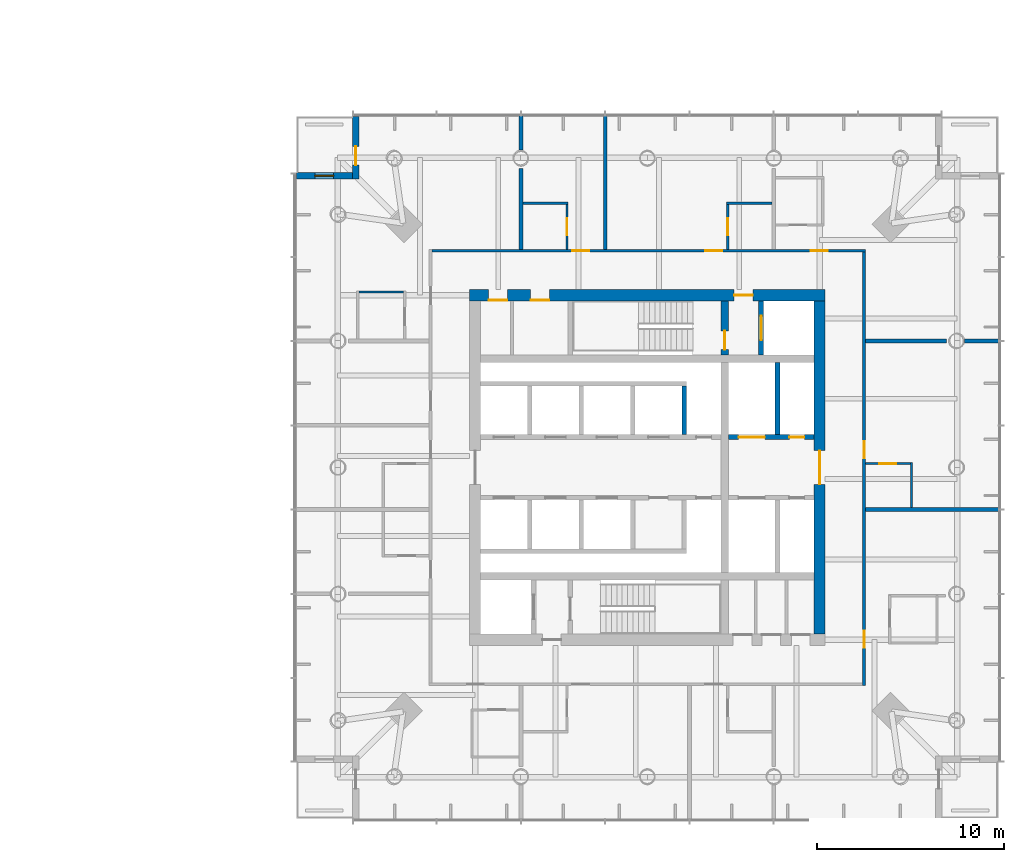
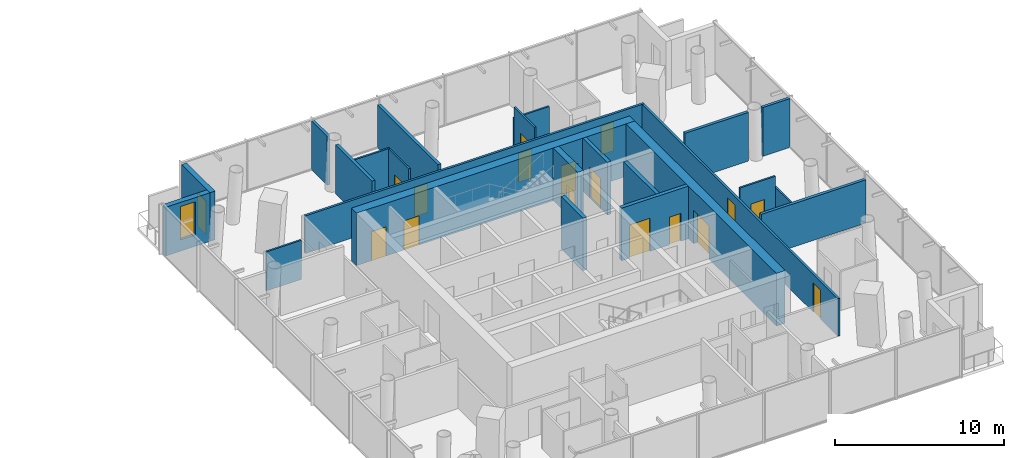
# One storey, part 18 of 24: 24 walls, 17 doors, 1 window, 18 openings.
"""IFC4 building model written with IfcOpenShell, lengths in metres."""

import ifcopenshell
import ifcopenshell.guid

model = None  # the IFC model being written
_history = None  # IfcOwnerHistory: only IFC2X3 demands one
_inside = {}  # id of a spatial element -> (the spatial element, [elements in it])
_under = {}  # id of a project, library or spatial element -> (it, [spatial elements below it])
_declared = {}  # id of a project -> (the project, [libraries it declares])
_typed = {}  # id of a type object -> (the type object, [elements of that type])
_made_of = {}  # id of a material, layer set ... -> (it, [elements and type objects made of it])


def new_model(schema):
    """Start an empty IFC model of exactly this schema.

    Asked for "IFC4X3", IfcOpenShell would pick the latest addendum, in which some entities
    have other attributes; the version numbers below select the first issue.
    IFC2X3 requires an IfcOwnerHistory on every rooted entity: one is made here for all.
    """
    global model, _history
    if schema == "IFC4X3":
        model = ifcopenshell.file(schema_version=(4, 3, 0, 0))
    else:
        model = ifcopenshell.file(schema=schema)
    _inside.clear()
    _under.clear()
    _declared.clear()
    _typed.clear()
    _made_of.clear()
    _history = None
    if model.schema == "IFC2X3":
        org = make("IfcOrganization", Name="unknown")
        user = make(
            "IfcPersonAndOrganization",
            ThePerson=make("IfcPerson", FamilyName="unknown"),
            TheOrganization=org,
        )
        app = make(
            "IfcApplication",
            ApplicationDeveloper=org,
            Version="unknown",
            ApplicationFullName="unknown",
            ApplicationIdentifier="unknown",
        )
        _history = make(
            "IfcOwnerHistory",
            OwningUser=user,
            OwningApplication=app,
            ChangeAction="ADDED",
            CreationDate=0,
        )
    return model


def make(cls, **values):
    """One entity of the class cls with the attributes given. An attribute that is None is left unset."""
    return model.create_entity(
        cls, **{name: value for name, value in values.items() if value is not None}
    )


def rooted(cls, **values):
    """An entity with a GlobalId (a new one), such as an element, a storey or a relation."""
    return make(cls, GlobalId=ifcopenshell.guid.new(), OwnerHistory=_history, **values)


def si_unit(unit_type, name, prefix=None):
    """IfcSIUnit, for example si_unit("LENGTHUNIT", "METRE", prefix="MILLI")."""
    return make("IfcSIUnit", UnitType=unit_type, Prefix=prefix, Name=name)


def assignment(units):
    """IfcUnitAssignment: the units of a project."""
    return None if units is None else make("IfcUnitAssignment", Units=units)


def point(xyz):
    """IfcCartesianPoint."""
    return None if xyz is None else make("IfcCartesianPoint", Coordinates=xyz)


def direction(xyz):
    """IfcDirection."""
    return None if xyz is None else make("IfcDirection", DirectionRatios=xyz)


def frame(location, z_axis=None, x_axis=None):
    """IfcAxis2Placement3D, a coordinate frame: its origin and axes. An axis left out is left unset."""
    return make(
        "IfcAxis2Placement3D",
        Location=point(location),
        Axis=direction(z_axis),
        RefDirection=direction(x_axis),
    )


def frame_2d(location, x_axis=None):
    """IfcAxis2Placement2D, a coordinate frame in the plane: its origin and x axis."""
    return make(
        "IfcAxis2Placement2D", Location=point(location), RefDirection=direction(x_axis)
    )


def origin():
    """The frame at (0, 0, 0) with its axes left unset."""
    return frame((0.0, 0.0, 0.0))


def place(relative_to, where):
    """IfcLocalPlacement: puts the frame where relative to a parent placement (None: the world)."""
    return make(
        "IfcLocalPlacement", PlacementRelTo=relative_to, RelativePlacement=where
    )


def context(
    kind, dimensions, precision=None, world=None, true_north=None, identifier=None
):
    """IfcGeometricRepresentationContext, for example the 3D "Model" context."""
    return make(
        "IfcGeometricRepresentationContext",
        ContextIdentifier=identifier,
        ContextType=kind,
        CoordinateSpaceDimension=dimensions,
        Precision=precision,
        WorldCoordinateSystem=world,
        TrueNorth=true_north,
    )


def subcontext(parent, identifier, kind, view, scale=None):
    """IfcGeometricRepresentationSubContext, for example "Body" below "Model"."""
    return make(
        "IfcGeometricRepresentationSubContext",
        ContextIdentifier=identifier,
        ContextType=kind,
        ParentContext=parent,
        TargetScale=scale,
        TargetView=view,
    )


def project(units=None, contexts=None):
    """IfcProject with its units and contexts."""
    return rooted(
        "IfcProject",
        Name="project",
        RepresentationContexts=contexts,
        UnitsInContext=assignment(units),
    )


def spatial(cls, under=None, at=None, **own):
    """A site, building, storey or space (cls), placed at a placement, below another one or the project."""
    s = rooted(cls, ObjectPlacement=at, **own)
    if under is not None:
        _under.setdefault(under.id(), (under, []))[1].append(s)
    return s


def profile(cls, at=None, kind="AREA", **sizes):
    """A parametric profile (cls). Its sizes go by their IFC names, for example OverallWidth=200.0."""
    return make(cls, ProfileType=kind, Position=at, **sizes)


def rectangle(**sizes):
    """IfcRectangleProfileDef."""
    return profile("IfcRectangleProfileDef", **sizes)


def extrude(swept, where, along, depth):
    """IfcExtrudedAreaSolid: the profile swept, set in the frame where, extruded along a direction by depth."""
    return make(
        "IfcExtrudedAreaSolid",
        SweptArea=swept,
        Position=where,
        ExtrudedDirection=direction(along),
        Depth=depth,
    )


def shape(context_of_items, identifier, shape_type, items):
    """IfcShapeRepresentation: the items that make up one representation, for example the "Body"."""
    return make(
        "IfcShapeRepresentation",
        ContextOfItems=context_of_items,
        RepresentationIdentifier=identifier,
        RepresentationType=shape_type,
        Items=items,
    )


def material(Name=None, Category=None):
    """IfcMaterial."""
    return make("IfcMaterial", Name=Name, Category=Category)


def layer(
    of_material, thickness, ventilated=None, Name=None, Category=None, Priority=None
):
    """IfcMaterialLayer: one layer of a wall or slab, of a material (None: an air gap)."""
    return make(
        "IfcMaterialLayer",
        Material=of_material,
        LayerThickness=thickness,
        IsVentilated=ventilated,
        Name=Name,
        Category=Category,
        Priority=Priority,
    )


def layer_set(layers, Name=None):
    """IfcMaterialLayerSet."""
    return make("IfcMaterialLayerSet", MaterialLayers=layers, LayerSetName=Name)


def made_of(thing, what):
    """Note that an element or type object is made of a material, layer set ...; save() writes the relation."""
    if what is not None:
        _made_of.setdefault(what.id(), (what, []))[1].append(thing)
    return thing


def type_object(cls, material=None, **own):
    """A type object (cls), such as IfcWallType, which elements share."""
    return made_of(rooted(cls, **own), material)


def element(
    cls,
    number,
    at=None,
    inside=None,
    cuts=None,
    type_object=None,
    material=None,
    context=None,
    identifier="Body",
    shape_type=None,
    held_by="IfcProductDefinitionShape",
    body=None,
    shapes=None,
    **own,
):
    """One element of the class cls, such as IfcWall. Its Tag is "e" and its number.

    at: its placement. inside: the storey or other place that contains it. cuts: it is an
    opening in that element (IfcRelVoidsElement). A single representation is given by context,
    identifier, shape_type and body (its items); several are given by shapes. held_by: the class
    of the entity that holds the representations. save() writes the other relations.
    """
    e = rooted(cls, Tag="e%d" % number, ObjectPlacement=at, **own)
    if body is not None:
        shapes = [shape(context, identifier, shape_type, body)]
    if shapes is not None:
        e.Representation = make(held_by, Representations=shapes)
    if inside is not None:
        _inside.setdefault(inside.id(), (inside, []))[1].append(e)
    if cuts is not None:
        rooted(
            "IfcRelVoidsElement", RelatingBuildingElement=cuts, RelatedOpeningElement=e
        )
    if type_object is not None:
        _typed.setdefault(type_object.id(), (type_object, []))[1].append(e)
    return made_of(e, material)


def fill(opening, filler):
    """IfcRelFillsElement: the door or window that sits in an opening."""
    return rooted(
        "IfcRelFillsElement",
        RelatingOpeningElement=opening,
        RelatedBuildingElement=filler,
    )


def aggregate(whole, parts):
    """IfcRelAggregates: a whole, such as a stair, and the parts it consists of."""
    return rooted("IfcRelAggregates", RelatingObject=whole, RelatedObjects=parts)


def save(model, path):
    """Write the relations noted so far, then the file.

    IfcRelAggregates (storeys below a building ...), IfcRelContainedInSpatialStructure (elements
    in a storey), IfcRelDefinesByType, IfcRelAssociatesMaterial and IfcRelDeclares: one each for
    every whole, place, type object, material and project.
    """
    for whole, parts in _under.values():
        aggregate(whole, parts)
    for where, things in _inside.values():
        rooted(
            "IfcRelContainedInSpatialStructure",
            RelatedElements=things,
            RelatingStructure=where,
        )
    for kind, things in _typed.values():
        rooted("IfcRelDefinesByType", RelatedObjects=things, RelatingType=kind)
    for what, things in _made_of.values():
        rooted("IfcRelAssociatesMaterial", RelatedObjects=things, RelatingMaterial=what)
    for by, libraries in _declared.values():
        rooted("IfcRelDeclares", RelatingContext=by, RelatedDefinitions=libraries)
    model.write(path)


model = new_model("IFC4")

# Units and contexts
model_context = context("Model", 3, precision=1e-05, world=origin(), true_north=direction((0.0, 1.0)))
body_context = subcontext(model_context, "Body", "Model", "MODEL_VIEW")
ifc_project = project(units=[si_unit("LENGTHUNIT", "METRE"), si_unit("AREAUNIT", "SQUARE_METRE"), si_unit("VOLUMEUNIT", "CUBIC_METRE"), si_unit("PLANEANGLEUNIT", "RADIAN"), si_unit("MASSUNIT", "GRAM", prefix="KILO")], contexts=[model_context])

# Site, building, storey
site_placement = place(None, origin())
site = spatial("IfcSite", under=ifc_project, at=site_placement, CompositionType="ELEMENT")
building_placement = place(site_placement, origin())
building = spatial("IfcBuilding", under=site, at=building_placement, Name="Ostroluk Exchange", CompositionType="ELEMENT")
storey_placement = place(building_placement, frame((0.0, 0.0, 78.0)))
storey = spatial("IfcBuildingStorey", under=building, at=storey_placement, Name="L19", CompositionType="ELEMENT", Elevation=78.0)

# Wall, opening, door
ifc_material_1 = material(Name="Concrete C50/60", Category="concrete")
ifc_layer_1 = layer(ifc_material_1, 0.39990234375)
ifc_layer_set_1 = layer_set([ifc_layer_1], Name="Core cross wall 400 C50/60")
wall_type_1 = type_object("IfcWallType", Name="Core cross wall 400 C50/60", PredefinedType="SHEAR", material=ifc_layer_set_1)
wall_1_placement = place(storey_placement, frame((121.1298828125, 52.0, 0.0), z_axis=(0.0, 0.0, 1.0), x_axis=(0.0, 1.0, 0.0)))
wall_1 = element("IfcWall", 1, at=wall_1_placement, inside=storey, type_object=wall_type_1, Name="T2 core wall YE3", PredefinedType="SHEAR", context=body_context, shape_type="SweptSolid", body=[
    extrude(rectangle(XDim=2.89990234375, YDim=0.39990234375, at=frame_2d((1.449951171875, 0.0))), origin(), (0.0, 0.0, 1.0), 3.800048828125),
])
opening_1_placement = place(wall_1_placement, frame((0.300048828125, 0.0, 0.0)))
opening_1 = element("IfcOpeningElement", 2, at=opening_1_placement, cuts=wall_1, Name="Opening FD60", PredefinedType="OPENING", context=body_context, shape_type="SweptSolid", body=[
    extrude(rectangle(XDim=1.0, YDim=2.10009765625, at=frame_2d((0.5, 1.050048828125))), frame((0.0, 0.2099609375, 0.0), z_axis=(0.0, -1.0, 0.0), x_axis=(1.0, 0.0, 0.0)), (0.0, 0.0, 1.0), 0.419921875),
])
ifc_material_2 = material(Name="Steel", Category="steel")
door_type_1 = type_object("IfcDoorType", Name="Fire door EI 60 1000 x 2100", OperationType="SINGLE_SWING_LEFT", PredefinedType="DOOR", material=ifc_material_2)
door_1_placement = place(opening_1_placement, origin())
door_1 = element("IfcDoor", 3, at=door_1_placement, inside=storey, type_object=door_type_1, Name="Stair T2-S2 door", OperationType="SINGLE_SWING_LEFT", OverallHeight=2.10009765625, OverallWidth=1.0, PredefinedType="DOOR", context=body_context, shape_type="SweptSolid", body=[
    extrude(rectangle(XDim=1.0, YDim=2.10009765625, at=frame_2d((0.5, 1.050048828125))), frame((0.0, 0.02490234375, 0.0), z_axis=(0.0, -1.0, 0.0), x_axis=(1.0, 0.0, 0.0)), (0.0, 0.0, 1.0), 0.050048828125),
])
fill(opening_1, door_1)

ifc_material_3 = material(Name="Concrete C40/50", Category="concrete")
ifc_layer_2 = layer(ifc_material_3, 0.25)
ifc_layer_set_2 = layer_set([ifc_layer_2], Name="Core shaft wall 250")
wall_type_2 = type_object("IfcWallType", Name="Core shaft wall 250", PredefinedType="SHEAR", material=ifc_layer_set_2)
wall_2_placement = place(storey_placement, frame((123.074951171875, 52.0, 0.0), z_axis=(0.0, 0.0, 1.0), x_axis=(0.0, 1.0, 0.0)))
wall_2 = element("IfcWall", 4, at=wall_2_placement, inside=storey, type_object=wall_type_2, Name="Firefighting lift shaft wall", PredefinedType="SHEAR", context=body_context, shape_type="SweptSolid", body=[
    extrude(rectangle(XDim=2.89990234375, YDim=0.25, at=frame_2d((1.449951171875, 0.0))), origin(), (0.0, 0.0, 1.0), 3.800048828125),
])
opening_2_placement = place(wall_2_placement, frame((0.800048828125, 0.0, 0.0)))
opening_2 = element("IfcOpeningElement", 5, at=opening_2_placement, cuts=wall_2, Name="Opening LD2", PredefinedType="OPENING", context=body_context, shape_type="SweptSolid", body=[
    extrude(rectangle(XDim=1.300048828125, YDim=2.199951171875, at=frame_2d((0.64990234375, 1.10009765625))), frame((0.0, 0.135009765625, 0.0), z_axis=(0.0, -1.0, 0.0), x_axis=(1.0, 0.0, 0.0)), (0.0, 0.0, 1.0), 0.27001953125),
])
ifc_material_4 = material(Name="Stainless steel", Category="steel")
door_type_2 = type_object("IfcDoorType", Name="Lift landing door E 60 1300 x 2200", OperationType="DOUBLE_DOOR_SLIDING", PredefinedType="DOOR", material=ifc_material_4)
door_2_placement = place(opening_2_placement, origin())
door_2 = element("IfcDoor", 6, at=door_2_placement, inside=storey, type_object=door_type_2, Name="Lift HF2 landing door", OperationType="DOUBLE_DOOR_SLIDING", OverallHeight=2.199951171875, OverallWidth=1.300048828125, PredefinedType="DOOR", context=body_context, shape_type="SweptSolid", body=[
    extrude(rectangle(XDim=1.300048828125, YDim=2.199951171875, at=frame_2d((0.64990234375, 1.10009765625))), frame((0.0, 0.02490234375, 0.0), z_axis=(0.0, -1.0, 0.0), x_axis=(1.0, 0.0, 0.0)), (0.0, 0.0, 1.0), 0.050048828125),
])
fill(opening_2, door_2)

# Walls
wall_3_placement = place(storey_placement, frame((118.97509765625, 47.75, 0.0), z_axis=(0.0, 0.0, 1.0), x_axis=(0.0, 1.0, 0.0)))
element("IfcWall", 7, at=wall_3_placement, inside=storey, type_object=wall_type_2, Name="Lift shaft wall", PredefinedType="SHEAR", context=body_context, shape_type="SweptSolid", body=[
    extrude(rectangle(XDim=2.60009765625, YDim=0.25, at=frame_2d((1.300048828125, 0.0))), origin(), (0.0, 0.0, 1.0), 3.800048828125),
])
wall_4_placement = place(storey_placement, frame((123.955078125, 47.75, 0.0), z_axis=(0.0, 0.0, 1.0), x_axis=(0.0, 1.0, 0.0)))
element("IfcWall", 8, at=wall_4_placement, inside=storey, type_object=wall_type_2, Name="Lift shaft wall", PredefinedType="SHEAR", context=body_context, shape_type="SweptSolid", body=[
    extrude(rectangle(XDim=3.85009765625, YDim=0.25, at=frame_2d((1.925048828125, 0.0))), origin(), (0.0, 0.0, 1.0), 3.800048828125),
])

# Wall, openings, doors
wall_5_placement = place(storey_placement, frame((121.330078125, 47.625, 0.0), z_axis=(0.0, 0.0, 1.0), x_axis=(1.0, 0.0, 0.0)))
wall_5 = element("IfcWall", 9, at=wall_5_placement, inside=storey, type_object=wall_type_2, Name="Lift shaft front wall", PredefinedType="SHEAR", context=body_context, shape_type="SweptSolid", body=[
    extrude(rectangle(XDim=4.56982421875, YDim=0.25, at=frame_2d((2.284912109375, 0.0))), origin(), (0.0, 0.0, 1.0), 3.800048828125),
])
opening_3_placement = place(wall_5_placement, frame((0.550048828125, 0.0, 0.0)))
opening_3 = element("IfcOpeningElement", 10, at=opening_3_placement, cuts=wall_5, Name="Opening LD3", PredefinedType="OPENING", context=body_context, shape_type="SweptSolid", body=[
    extrude(rectangle(XDim=1.39990234375, YDim=2.39990234375, at=frame_2d((0.699951171875, 1.199951171875))), frame((0.0, 0.135009765625, 0.0), z_axis=(0.0, -1.0, 0.0), x_axis=(1.0, 0.0, 0.0)), (0.0, 0.0, 1.0), 0.27001953125),
])
opening_4_placement = place(wall_5_placement, frame((3.260009765625, 0.0, 0.0)))
opening_4 = element("IfcOpeningElement", 11, at=opening_4_placement, cuts=wall_5, Name="Opening RD60", PredefinedType="OPENING", context=body_context, shape_type="SweptSolid", body=[
    extrude(rectangle(XDim=0.800048828125, YDim=2.0, at=frame_2d((0.39990234375, 1.0))), frame((0.0, 0.135009765625, 0.0), z_axis=(0.0, -1.0, 0.0), x_axis=(1.0, 0.0, 0.0)), (0.0, 0.0, 1.0), 0.27001953125),
])
ifc_material_5 = material(Name="Stainless steel", Category="steel")
door_type_3 = type_object("IfcDoorType", Name="Goods lift landing door E 60 1400 x 2400", OperationType="DOUBLE_DOOR_SLIDING", PredefinedType="DOOR", material=ifc_material_5)
door_3_placement = place(opening_3_placement, origin())
door_3 = element("IfcDoor", 12, at=door_3_placement, inside=storey, type_object=door_type_3, Name="Lift HS1 landing door", OperationType="DOUBLE_DOOR_SLIDING", OverallHeight=2.39990234375, OverallWidth=1.39990234375, PredefinedType="DOOR", context=body_context, shape_type="SweptSolid", body=[
    extrude(rectangle(XDim=1.39990234375, YDim=2.39990234375, at=frame_2d((0.699951171875, 1.199951171875))), frame((0.0, 0.02490234375, 0.0), z_axis=(0.0, -1.0, 0.0), x_axis=(1.0, 0.0, 0.0)), (0.0, 0.0, 1.0), 0.050048828125),
])
fill(opening_3, door_3)
ifc_material_6 = material(Name="Steel", Category="steel")
door_type_4 = type_object("IfcDoorType", Name="Riser access door EI 60 800 x 2000", OperationType="SINGLE_SWING_LEFT", PredefinedType="DOOR", material=ifc_material_6)
door_4_placement = place(opening_4_placement, origin())
door_4 = element("IfcDoor", 13, at=door_4_placement, inside=storey, type_object=door_type_4, Name="Riser access door", OperationType="SINGLE_SWING_RIGHT", OverallHeight=2.0, OverallWidth=0.800048828125, PredefinedType="DOOR", context=body_context, shape_type="SweptSolid", body=[
    extrude(rectangle(XDim=0.800048828125, YDim=2.0, at=frame_2d((0.39990234375, 1.0))), frame((0.0, 0.02490234375, 0.0), z_axis=(0.0, -1.0, 0.0), x_axis=(1.0, 0.0, 0.0)), (0.0, 0.0, 1.0), 0.050048828125),
])
fill(opening_4, door_4)

ifc_material_7 = material(Name="Concrete C50/60", Category="concrete")
ifc_layer_3 = layer(ifc_material_7, 0.60009765625)
ifc_layer_set_3 = layer_set([ifc_layer_3], Name="Core wall 600 C50/60")
wall_type_3 = type_object("IfcWallType", Name="Core wall 600 C50/60", PredefinedType="SHEAR", material=ifc_layer_set_3)
wall_6_placement = place(storey_placement, frame((107.5, 55.199951171875, 0.0), z_axis=(0.0, 0.0, 1.0), x_axis=(1.0, 0.0, 0.0)))
wall_6 = element("IfcWall", 14, at=wall_6_placement, inside=storey, type_object=wall_type_3, Name="T2 core wall N", PredefinedType="SHEAR", context=body_context, shape_type="SweptSolid", body=[
    extrude(rectangle(XDim=19.0, YDim=0.60009765625, at=frame_2d((9.5, 0.0))), origin(), (0.0, 0.0, 1.0), 3.800048828125),
])
opening_5_placement = place(wall_6_placement, frame((14.139892578125, 0.0, 0.0)))
opening_5 = element("IfcOpeningElement", 15, at=opening_5_placement, cuts=wall_6, Name="Opening FD60", PredefinedType="OPENING", context=body_context, shape_type="SweptSolid", body=[
    extrude(rectangle(XDim=1.0, YDim=2.10009765625, at=frame_2d((0.5, 1.050048828125))), frame((0.0, 0.31005859375, 0.0), z_axis=(0.0, -1.0, 0.0), x_axis=(1.0, 0.0, 0.0)), (0.0, 0.0, 1.0), 0.6201171875),
])
opening_6_placement = place(wall_6_placement, frame((1.02392578125, 0.0, 0.0)))
opening_6 = element("IfcOpeningElement", 16, at=opening_6_placement, cuts=wall_6, Name="Opening FD60", PredefinedType="OPENING", context=body_context, shape_type="SweptSolid", body=[
    extrude(rectangle(XDim=1.0, YDim=2.10009765625, at=frame_2d((0.5, 1.050048828125))), frame((0.0, 0.31005859375, 0.0), z_axis=(0.0, -1.0, 0.0), x_axis=(1.0, 0.0, 0.0)), (0.0, 0.0, 1.0), 0.6201171875),
])
opening_7_placement = place(wall_6_placement, frame((3.261962890625, 0.0, 0.0)))
opening_7 = element("IfcOpeningElement", 17, at=opening_7_placement, cuts=wall_6, Name="Opening FD60", PredefinedType="OPENING", context=body_context, shape_type="SweptSolid", body=[
    extrude(rectangle(XDim=1.0, YDim=2.10009765625, at=frame_2d((0.5, 1.050048828125))), frame((0.0, 0.31005859375, 0.0), z_axis=(0.0, -1.0, 0.0), x_axis=(1.0, 0.0, 0.0)), (0.0, 0.0, 1.0), 0.6201171875),
])
door_5_placement = place(opening_5_placement, origin())
door_5 = element("IfcDoor", 18, at=door_5_placement, inside=storey, type_object=door_type_1, Name="Firefighting lobby door", OperationType="SINGLE_SWING_RIGHT", OverallHeight=2.10009765625, OverallWidth=1.0, PredefinedType="DOOR", context=body_context, shape_type="SweptSolid", body=[
    extrude(rectangle(XDim=1.0, YDim=2.10009765625, at=frame_2d((0.5, 1.050048828125))), frame((0.0, 0.02490234375, 0.0), z_axis=(0.0, -1.0, 0.0), x_axis=(1.0, 0.0, 0.0)), (0.0, 0.0, 1.0), 0.050048828125),
])
fill(opening_5, door_5)
door_6_placement = place(opening_6_placement, origin())
door_6 = element("IfcDoor", 19, at=door_6_placement, inside=storey, type_object=door_type_1, Name="Housekeeping store door", OperationType="SINGLE_SWING_LEFT", OverallHeight=2.10009765625, OverallWidth=1.0, PredefinedType="DOOR", context=body_context, shape_type="SweptSolid", body=[
    extrude(rectangle(XDim=1.0, YDim=2.10009765625, at=frame_2d((0.5, 1.050048828125))), frame((0.0, -0.23974609375, 0.0), z_axis=(0.0, -1.0, 0.0), x_axis=(1.0, 0.0, 0.0)), (0.0, 0.0, 1.0), 0.050048828125),
])
fill(opening_6, door_6)
door_7_placement = place(opening_7_placement, origin())
door_7 = element("IfcDoor", 20, at=door_7_placement, inside=storey, type_object=door_type_1, Name="Room-service pantry door", OperationType="SINGLE_SWING_LEFT", OverallHeight=2.10009765625, OverallWidth=1.0, PredefinedType="DOOR", context=body_context, shape_type="SweptSolid", body=[
    extrude(rectangle(XDim=1.0, YDim=2.10009765625, at=frame_2d((0.5, 1.050048828125))), frame((0.0, -0.23974609375, 0.0), z_axis=(0.0, -1.0, 0.0), x_axis=(1.0, 0.0, 0.0)), (0.0, 0.0, 1.0), 0.050048828125),
])
fill(opening_7, door_7)

# Wall, opening, door
wall_7_placement = place(storey_placement, frame((126.199951171875, 37.10009765625, 0.0), z_axis=(0.0, 0.0, 1.0), x_axis=(0.0, 1.0, 0.0)))
wall_7 = element("IfcWall", 21, at=wall_7_placement, inside=storey, type_object=wall_type_3, Name="T2 core wall E", PredefinedType="SHEAR", context=body_context, shape_type="SweptSolid", body=[
    extrude(rectangle(XDim=17.7998046875, YDim=0.60009765625, at=frame_2d((8.89990234375, 0.0))), origin(), (0.0, 0.0, 1.0), 3.800048828125),
])
opening_8_placement = place(wall_7_placement, frame((8.0, 0.0, 0.0)))
opening_8 = element("IfcOpeningElement", 22, at=opening_8_placement, cuts=wall_7, Name="Opening FD30D", PredefinedType="OPENING", context=body_context, shape_type="SweptSolid", body=[
    extrude(rectangle(XDim=1.800048828125, YDim=2.39990234375, at=frame_2d((0.89990234375, 1.199951171875))), frame((0.0, 0.31005859375, 0.0), z_axis=(0.0, -1.0, 0.0), x_axis=(1.0, 0.0, 0.0)), (0.0, 0.0, 1.0), 0.6201171875),
])
ifc_material_8 = material(Name="Timber", Category="wood")
door_type_5 = type_object("IfcDoorType", Name="Lobby double door EI 30 1800 x 2400", OperationType="DOUBLE_DOOR_SINGLE_SWING", PredefinedType="DOOR", material=ifc_material_8)
door_8_placement = place(opening_8_placement, origin())
door_8 = element("IfcDoor", 23, at=door_8_placement, inside=storey, type_object=door_type_5, Name="Lift lobby doors", OperationType="DOUBLE_DOOR_SINGLE_SWING", OverallHeight=2.39990234375, OverallWidth=1.800048828125, PredefinedType="DOOR", context=body_context, shape_type="SweptSolid", body=[
    extrude(rectangle(XDim=1.800048828125, YDim=2.39990234375, at=frame_2d((0.89990234375, 1.199951171875))), frame((0.0, 0.02490234375, 0.0), z_axis=(0.0, -1.0, 0.0), x_axis=(1.0, 0.0, 0.0)), (0.0, 0.0, 1.0), 0.050048828125),
])
fill(opening_8, door_8)

ifc_material_9 = material(Name="Limestone", Category="masonry")
ifc_layer_4 = layer(ifc_material_9, 0.35009765625)
ifc_layer_set_4 = layer_set([ifc_layer_4], Name="Limestone facade wall 350")
wall_type_4 = type_object("IfcWallType", Name="Limestone facade wall 350", PredefinedType="SOLIDWALL", material=ifc_layer_set_4)
wall_8_placement = place(storey_placement, frame((101.425048828125, 64.75, 0.0), z_axis=(0.0, 0.0, 1.0), x_axis=(0.0, -1.0, 0.0)))
wall_8 = element("IfcWall", 24, at=wall_8_placement, inside=storey, type_object=wall_type_4, Name="Hotel tower NW corner wall L19 a", PredefinedType="SOLIDWALL", context=body_context, shape_type="SweptSolid", body=[
    extrude(rectangle(XDim=3.35009765625, YDim=0.35009765625, at=frame_2d((1.675048828125, 0.0))), origin(), (0.0, 0.0, 1.0), 3.52001953125),
])
opening_9_placement = place(wall_8_placement, frame((1.60009765625, 0.0, 0.0)))
opening_9 = element("IfcOpeningElement", 25, at=opening_9_placement, cuts=wall_8, Name="Opening D-B1", PredefinedType="OPENING", context=body_context, shape_type="SweptSolid", body=[
    extrude(rectangle(XDim=1.0, YDim=2.39990234375, at=frame_2d((0.5, 1.199951171875))), frame((0.0, 0.18505859375, 0.0), z_axis=(0.0, -1.0, 0.0), x_axis=(1.0, 0.0, 0.0)), (0.0, 0.0, 1.0), 0.3701171875),
])
ifc_material_10 = material(Name="Bronze framed glazed door", Category="aluminium")
door_type_6 = type_object("IfcDoorType", Name="Balcony door 1000 x 2400", OperationType="SINGLE_SWING_LEFT", PredefinedType="DOOR", material=ifc_material_10)
door_9_placement = place(opening_9_placement, origin())
door_9 = element("IfcDoor", 26, at=door_9_placement, inside=storey, type_object=door_type_6, Name="Hotel tower NW balcony door L19", OperationType="SINGLE_SWING_RIGHT", OverallHeight=2.39990234375, OverallWidth=1.0, PredefinedType="DOOR", context=body_context, shape_type="SweptSolid", body=[
    extrude(rectangle(XDim=1.0, YDim=2.39990234375, at=frame_2d((0.5, 1.199951171875))), frame((0.0, 0.02490234375, 0.0), z_axis=(0.0, -1.0, 0.0), x_axis=(1.0, 0.0, 0.0)), (0.0, 0.0, 1.0), 0.050048828125),
])
fill(opening_9, door_9)

# Wall, opening, window
wall_9_placement = place(storey_placement, frame((101.25, 61.574951171875, 0.0), z_axis=(0.0, 0.0, 1.0), x_axis=(-1.0, 0.0, 0.0)))
wall_9 = element("IfcWall", 27, at=wall_9_placement, inside=storey, type_object=wall_type_4, Name="Hotel tower NW corner wall L19 b", PredefinedType="SOLIDWALL", context=body_context, shape_type="SweptSolid", body=[
    extrude(rectangle(XDim=3.0, YDim=0.35009765625, at=frame_2d((1.5, 0.0))), origin(), (0.0, 0.0, 1.0), 3.52001953125),
])
opening_10_placement = place(wall_9_placement, frame((1.0, 0.0, 0.820068359375)))
opening_10 = element("IfcOpeningElement", 28, at=opening_10_placement, cuts=wall_9, Name="Opening WN-L3", PredefinedType="OPENING", context=body_context, shape_type="SweptSolid", body=[
    extrude(rectangle(XDim=1.0, YDim=2.39990234375, at=frame_2d((0.5, 1.199951171875))), frame((0.0, 0.18505859375, 0.0), z_axis=(0.0, -1.0, 0.0), x_axis=(1.0, 0.0, 0.0)), (0.0, 0.0, 1.0), 0.3701171875),
])
ifc_material_11 = material(Name="Laminated clear glass", Category="glass")
window_type = type_object("IfcWindowType", Name="Hotel lancet window 1000 x 2400", PartitioningType="SINGLE_PANEL", PredefinedType="WINDOW", material=ifc_material_11)
window_placement = place(opening_10_placement, origin())
window = element("IfcWindow", 29, at=window_placement, inside=storey, type_object=window_type, Name="Hotel tower NW lancet window L19", OverallHeight=2.39990234375, OverallWidth=1.0, PartitioningType="SINGLE_PANEL", PredefinedType="WINDOW", context=body_context, shape_type="SweptSolid", body=[
    extrude(rectangle(XDim=1.0, YDim=2.39990234375, at=frame_2d((0.5, 1.199951171875))), frame((0.0, 0.030029296875, 0.0), z_axis=(0.0, -1.0, 0.0), x_axis=(1.0, 0.0, 0.0)), (0.0, 0.0, 1.0), 0.06005859375),
])
fill(opening_10, window)

# Wall
ifc_material_12 = material(Name="Gypsum plasterboard partition, moisture resistant", Category="gypsum")
ifc_layer_5 = layer(ifc_material_12, 0.1201171875)
ifc_layer_set_5 = layer_set([ifc_layer_5], Name="Plasterboard en-suite wall 120")
wall_type_5 = type_object("IfcWallType", Name="Plasterboard en-suite wall 120", PredefinedType="PARTITIONING", material=ifc_layer_set_5)
wall_10_placement = place(storey_placement, frame((131.110107421875, 43.85009765625, 0.0), z_axis=(0.0, 0.0, 1.0), x_axis=(0.0, 1.0, 0.0)))
element("IfcWall", 30, at=wall_10_placement, inside=storey, type_object=wall_type_5, Name="En-suite wall", PredefinedType="PARTITIONING", context=body_context, shape_type="SweptSolid", body=[
    extrude(rectangle(XDim=2.419921875, YDim=0.1201171875, at=frame_2d((1.2099609375, 0.0))), origin(), (0.0, 0.0, 1.0), 2.719970703125),
])

# Wall, opening, door
wall_11_placement = place(storey_placement, frame((128.64990234375, 46.2099609375, 0.0), z_axis=(0.0, 0.0, 1.0), x_axis=(1.0, 0.0, 0.0)))
wall_11 = element("IfcWall", 31, at=wall_11_placement, inside=storey, type_object=wall_type_5, Name="En-suite wall", PredefinedType="PARTITIONING", context=body_context, shape_type="SweptSolid", body=[
    extrude(rectangle(XDim=2.400146484375, YDim=0.1201171875, at=frame_2d((1.2001953125, 0.0))), origin(), (0.0, 0.0, 1.0), 3.52001953125),
])
opening_11_placement = place(wall_11_placement, frame((0.75, 0.0, 0.0)))
opening_11 = element("IfcOpeningElement", 32, at=opening_11_placement, cuts=wall_11, Name="Opening D-02", PredefinedType="OPENING", context=body_context, shape_type="SweptSolid", body=[
    extrude(rectangle(XDim=0.89990234375, YDim=2.10009765625, at=frame_2d((0.449951171875, 1.050048828125))), frame((0.0, 0.070068359375, 0.0), z_axis=(0.0, -1.0, 0.0), x_axis=(1.0, 0.0, 0.0)), (0.0, 0.0, 1.0), 0.14013671875),
])
ifc_material_13 = material(Name="Timber", Category="wood")
door_type_7 = type_object("IfcDoorType", Name="En-suite door 900 x 2100", OperationType="SINGLE_SWING_LEFT", PredefinedType="DOOR", material=ifc_material_13)
door_10_placement = place(opening_11_placement, origin())
door_10 = element("IfcDoor", 33, at=door_10_placement, inside=storey, type_object=door_type_7, Name="En-suite door 1902", OperationType="SINGLE_SWING_LEFT", OverallHeight=2.10009765625, OverallWidth=0.89990234375, PredefinedType="DOOR", context=body_context, shape_type="SweptSolid", body=[
    extrude(rectangle(XDim=0.89990234375, YDim=2.10009765625, at=frame_2d((0.449951171875, 1.050048828125))), frame((0.0, 0.02490234375, 0.0), z_axis=(0.0, -1.0, 0.0), x_axis=(1.0, 0.0, 0.0)), (0.0, 0.0, 1.0), 0.050048828125),
])
fill(opening_11, door_10)

# Wall
wall_12_placement = place(storey_placement, frame((123.64990234375, 60.110107421875, 0.0), z_axis=(0.0, 0.0, 1.0), x_axis=(-1.0, 0.0, 0.0)))
element("IfcWall", 34, at=wall_12_placement, inside=storey, type_object=wall_type_5, Name="En-suite wall", PredefinedType="PARTITIONING", context=body_context, shape_type="SweptSolid", body=[
    extrude(rectangle(XDim=2.419921875, YDim=0.1201171875, at=frame_2d((1.2099609375, 0.0))), origin(), (0.0, 0.0, 1.0), 2.719970703125),
])

# Wall, opening, door
wall_13_placement = place(storey_placement, frame((121.2900390625, 57.64990234375, 0.0), z_axis=(0.0, 0.0, 1.0), x_axis=(0.0, 1.0, 0.0)))
wall_13 = element("IfcWall", 35, at=wall_13_placement, inside=storey, type_object=wall_type_5, Name="En-suite wall", PredefinedType="PARTITIONING", context=body_context, shape_type="SweptSolid", body=[
    extrude(rectangle(XDim=2.400146484375, YDim=0.1201171875, at=frame_2d((1.2001953125, 0.0))), origin(), (0.0, 0.0, 1.0), 3.52001953125),
])
opening_12_placement = place(wall_13_placement, frame((0.75, 0.0, 0.0)))
opening_12 = element("IfcOpeningElement", 36, at=opening_12_placement, cuts=wall_13, Name="Opening D-02", PredefinedType="OPENING", context=body_context, shape_type="SweptSolid", body=[
    extrude(rectangle(XDim=0.89990234375, YDim=2.10009765625, at=frame_2d((0.449951171875, 1.050048828125))), frame((0.0, 0.070068359375, 0.0), z_axis=(0.0, -1.0, 0.0), x_axis=(1.0, 0.0, 0.0)), (0.0, 0.0, 1.0), 0.14013671875),
])
door_11_placement = place(opening_12_placement, origin())
door_11 = element("IfcDoor", 37, at=door_11_placement, inside=storey, type_object=door_type_7, Name="En-suite door 1904", OperationType="SINGLE_SWING_RIGHT", OverallHeight=2.10009765625, OverallWidth=0.89990234375, PredefinedType="DOOR", context=body_context, shape_type="SweptSolid", body=[
    extrude(rectangle(XDim=0.89990234375, YDim=2.10009765625, at=frame_2d((0.449951171875, 1.050048828125))), frame((0.0, 0.02490234375, 0.0), z_axis=(0.0, -1.0, 0.0), x_axis=(1.0, 0.0, 0.0)), (0.0, 0.0, 1.0), 0.050048828125),
])
fill(opening_12, door_11)

# Wall
wall_14_placement = place(storey_placement, frame((112.77001953125, 60.110107421875, 0.0), z_axis=(0.0, 0.0, 1.0), x_axis=(-1.0, 0.0, 0.0)))
element("IfcWall", 38, at=wall_14_placement, inside=storey, type_object=wall_type_5, Name="En-suite wall", PredefinedType="PARTITIONING", context=body_context, shape_type="SweptSolid", body=[
    extrude(rectangle(XDim=2.419921875, YDim=0.1201171875, at=frame_2d((1.2099609375, 0.0))), origin(), (0.0, 0.0, 1.0), 3.52001953125),
])

# Wall, opening, door
wall_15_placement = place(storey_placement, frame((112.7099609375, 57.64990234375, 0.0), z_axis=(0.0, 0.0, 1.0), x_axis=(0.0, 1.0, 0.0)))
wall_15 = element("IfcWall", 39, at=wall_15_placement, inside=storey, type_object=wall_type_5, Name="En-suite wall", PredefinedType="PARTITIONING", context=body_context, shape_type="SweptSolid", body=[
    extrude(rectangle(XDim=2.400146484375, YDim=0.1201171875, at=frame_2d((1.2001953125, 0.0))), origin(), (0.0, 0.0, 1.0), 3.52001953125),
])
opening_13_placement = place(wall_15_placement, frame((0.75, 0.0, 0.0)))
opening_13 = element("IfcOpeningElement", 40, at=opening_13_placement, cuts=wall_15, Name="Opening D-02", PredefinedType="OPENING", context=body_context, shape_type="SweptSolid", body=[
    extrude(rectangle(XDim=0.89990234375, YDim=2.10009765625, at=frame_2d((0.449951171875, 1.050048828125))), frame((0.0, 0.070068359375, 0.0), z_axis=(0.0, -1.0, 0.0), x_axis=(1.0, 0.0, 0.0)), (0.0, 0.0, 1.0), 0.14013671875),
])
door_12_placement = place(opening_13_placement, origin())
door_12 = element("IfcDoor", 41, at=door_12_placement, inside=storey, type_object=door_type_7, Name="En-suite door 1905", OperationType="SINGLE_SWING_RIGHT", OverallHeight=2.10009765625, OverallWidth=0.89990234375, PredefinedType="DOOR", context=body_context, shape_type="SweptSolid", body=[
    extrude(rectangle(XDim=0.89990234375, YDim=2.10009765625, at=frame_2d((0.449951171875, 1.050048828125))), frame((0.0, 0.02490234375, 0.0), z_axis=(0.0, -1.0, 0.0), x_axis=(1.0, 0.0, 0.0)), (0.0, 0.0, 1.0), 0.050048828125),
])
fill(opening_13, door_12)

# Wall
wall_16_placement = place(storey_placement, frame((103.989990234375, 55.3701171875, 0.0), z_axis=(0.0, 0.0, 1.0), x_axis=(-1.0, 0.0, 0.0)))
element("IfcWall", 42, at=wall_16_placement, inside=storey, type_object=wall_type_5, Name="En-suite wall", PredefinedType="PARTITIONING", context=body_context, shape_type="SweptSolid", body=[
    extrude(rectangle(XDim=2.39990234375, YDim=0.1201171875, at=frame_2d((1.199951171875, 0.0))), origin(), (0.0, 0.0, 1.0), 2.820068359375),
])

# Wall, openings, doors
ifc_material_14 = material(Name="Gypsum plasterboard partition", Category="gypsum")
ifc_layer_6 = layer(ifc_material_14, 0.14990234375)
ifc_layer_set_6 = layer_set([ifc_layer_6], Name="Plasterboard partition 150")
wall_type_6 = type_object("IfcWallType", Name="Plasterboard partition 150", PredefinedType="PARTITIONING", material=ifc_layer_set_6)
wall_17_placement = place(storey_placement, frame((128.574951171875, 34.35009765625, 0.0), z_axis=(0.0, 0.0, 1.0), x_axis=(0.0, 1.0, 0.0)))
wall_17 = element("IfcWall", 43, at=wall_17_placement, inside=storey, type_object=wall_type_6, Name="Corridor wall", PredefinedType="PARTITIONING", context=body_context, shape_type="SweptSolid", body=[
    extrude(rectangle(XDim=23.14990234375, YDim=0.14990234375, at=frame_2d((11.574951171875, 0.0))), origin(), (0.0, 0.0, 1.0), 2.719970703125),
])
opening_14_placement = place(wall_17_placement, frame((2.02490234375, 0.0, 0.0)))
opening_14 = element("IfcOpeningElement", 44, at=opening_14_placement, cuts=wall_17, Name="Opening D-01", PredefinedType="OPENING", context=body_context, shape_type="SweptSolid", body=[
    extrude(rectangle(XDim=0.89990234375, YDim=2.10009765625, at=frame_2d((0.449951171875, 1.050048828125))), frame((0.0, 0.0849609375, 0.0), z_axis=(0.0, -1.0, 0.0), x_axis=(1.0, 0.0, 0.0)), (0.0, 0.0, 1.0), 0.169921875),
])
opening_15_placement = place(wall_17_placement, frame((12.14990234375, 0.0, 0.0)))
opening_15 = element("IfcOpeningElement", 45, at=opening_15_placement, cuts=wall_17, Name="Opening D-01", PredefinedType="OPENING", context=body_context, shape_type="SweptSolid", body=[
    extrude(rectangle(XDim=0.89990234375, YDim=2.10009765625, at=frame_2d((0.449951171875, 1.050048828125))), frame((0.0, 0.0849609375, 0.0), z_axis=(0.0, -1.0, 0.0), x_axis=(1.0, 0.0, 0.0)), (0.0, 0.0, 1.0), 0.169921875),
])
ifc_material_15 = material(Name="Timber", Category="wood")
door_type_8 = type_object("IfcDoorType", Name="Hotel room door EI 30 Sa 900 x 2100", OperationType="SINGLE_SWING_LEFT", PredefinedType="DOOR", material=ifc_material_15)
door_13_placement = place(opening_14_placement, origin())
door_13 = element("IfcDoor", 46, at=door_13_placement, inside=storey, type_object=door_type_8, Name="Room door 1901", OperationType="SINGLE_SWING_LEFT", OverallHeight=2.10009765625, OverallWidth=0.89990234375, PredefinedType="DOOR", context=body_context, shape_type="SweptSolid", body=[
    extrude(rectangle(XDim=0.89990234375, YDim=2.10009765625, at=frame_2d((0.449951171875, 1.050048828125))), frame((0.0, 0.02490234375, 0.0), z_axis=(0.0, -1.0, 0.0), x_axis=(1.0, 0.0, 0.0)), (0.0, 0.0, 1.0), 0.050048828125),
])
fill(opening_14, door_13)
door_14_placement = place(opening_15_placement, origin())
door_14 = element("IfcDoor", 47, at=door_14_placement, inside=storey, type_object=door_type_8, Name="Room door 1902", OperationType="SINGLE_SWING_RIGHT", OverallHeight=2.10009765625, OverallWidth=0.89990234375, PredefinedType="DOOR", context=body_context, shape_type="SweptSolid", body=[
    extrude(rectangle(XDim=0.89990234375, YDim=2.10009765625, at=frame_2d((0.449951171875, 1.050048828125))), frame((0.0, 0.02490234375, 0.0), z_axis=(0.0, -1.0, 0.0), x_axis=(1.0, 0.0, 0.0)), (0.0, 0.0, 1.0), 0.050048828125),
])
fill(opening_15, door_14)

wall_18_placement = place(storey_placement, frame((128.64990234375, 57.574951171875, 0.0), z_axis=(0.0, 0.0, 1.0), x_axis=(-1.0, 0.0, 0.0)))
wall_18 = element("IfcWall", 48, at=wall_18_placement, inside=storey, type_object=wall_type_6, Name="Corridor wall", PredefinedType="PARTITIONING", context=body_context, shape_type="SweptSolid", body=[
    extrude(rectangle(XDim=23.14990234375, YDim=0.14990234375, at=frame_2d((11.574951171875, 0.0))), origin(), (0.0, 0.0, 1.0), 2.719970703125),
])
opening_16_placement = place(wall_18_placement, frame((2.02490234375, 0.0, 0.0)))
opening_16 = element("IfcOpeningElement", 49, at=opening_16_placement, cuts=wall_18, Name="Opening D-01", PredefinedType="OPENING", context=body_context, shape_type="SweptSolid", body=[
    extrude(rectangle(XDim=0.89990234375, YDim=2.10009765625, at=frame_2d((0.449951171875, 1.050048828125))), frame((0.0, 0.0849609375, 0.0), z_axis=(0.0, -1.0, 0.0), x_axis=(1.0, 0.0, 0.0)), (0.0, 0.0, 1.0), 0.169921875),
])
opening_17_placement = place(wall_18_placement, frame((7.64990234375, 0.0, 0.0)))
opening_17 = element("IfcOpeningElement", 50, at=opening_17_placement, cuts=wall_18, Name="Opening D-01", PredefinedType="OPENING", context=body_context, shape_type="SweptSolid", body=[
    extrude(rectangle(XDim=0.89990234375, YDim=2.10009765625, at=frame_2d((0.449951171875, 1.050048828125))), frame((0.0, 0.0849609375, 0.0), z_axis=(0.0, -1.0, 0.0), x_axis=(1.0, 0.0, 0.0)), (0.0, 0.0, 1.0), 0.169921875),
])
opening_18_placement = place(wall_18_placement, frame((14.75, 0.0, 0.0)))
opening_18 = element("IfcOpeningElement", 51, at=opening_18_placement, cuts=wall_18, Name="Opening D-01", PredefinedType="OPENING", context=body_context, shape_type="SweptSolid", body=[
    extrude(rectangle(XDim=0.89990234375, YDim=2.10009765625, at=frame_2d((0.449951171875, 1.050048828125))), frame((0.0, 0.0849609375, 0.0), z_axis=(0.0, -1.0, 0.0), x_axis=(1.0, 0.0, 0.0)), (0.0, 0.0, 1.0), 0.169921875),
])
door_15_placement = place(opening_16_placement, origin())
door_15 = element("IfcDoor", 52, at=door_15_placement, inside=storey, type_object=door_type_8, Name="Room door 1903", OperationType="SINGLE_SWING_LEFT", OverallHeight=2.10009765625, OverallWidth=0.89990234375, PredefinedType="DOOR", context=body_context, shape_type="SweptSolid", body=[
    extrude(rectangle(XDim=0.89990234375, YDim=2.10009765625, at=frame_2d((0.449951171875, 1.050048828125))), frame((0.0, 0.02490234375, 0.0), z_axis=(0.0, -1.0, 0.0), x_axis=(1.0, 0.0, 0.0)), (0.0, 0.0, 1.0), 0.050048828125),
])
fill(opening_16, door_15)
door_16_placement = place(opening_17_placement, origin())
door_16 = element("IfcDoor", 53, at=door_16_placement, inside=storey, type_object=door_type_8, Name="Room door 1904", OperationType="SINGLE_SWING_LEFT", OverallHeight=2.10009765625, OverallWidth=0.89990234375, PredefinedType="DOOR", context=body_context, shape_type="SweptSolid", body=[
    extrude(rectangle(XDim=0.89990234375, YDim=2.10009765625, at=frame_2d((0.449951171875, 1.050048828125))), frame((0.0, 0.02490234375, 0.0), z_axis=(0.0, -1.0, 0.0), x_axis=(1.0, 0.0, 0.0)), (0.0, 0.0, 1.0), 0.050048828125),
])
fill(opening_17, door_16)
door_17_placement = place(opening_18_placement, origin())
door_17 = element("IfcDoor", 54, at=door_17_placement, inside=storey, type_object=door_type_8, Name="Room door 1905", OperationType="SINGLE_SWING_RIGHT", OverallHeight=2.10009765625, OverallWidth=0.89990234375, PredefinedType="DOOR", context=body_context, shape_type="SweptSolid", body=[
    extrude(rectangle(XDim=0.89990234375, YDim=2.10009765625, at=frame_2d((0.449951171875, 1.050048828125))), frame((0.0, 0.02490234375, 0.0), z_axis=(0.0, -1.0, 0.0), x_axis=(1.0, 0.0, 0.0)), (0.0, 0.0, 1.0), 0.050048828125),
])
fill(opening_18, door_17)

# Walls
ifc_material_16 = material(Name="Gypsum plasterboard partition", Category="gypsum")
ifc_layer_7 = layer(ifc_material_16, 0.199951171875)
ifc_layer_set_7 = layer_set([ifc_layer_7], Name="Plasterboard party wall 200")
wall_type_7 = type_object("IfcWallType", Name="Plasterboard party wall 200", PredefinedType="PARTITIONING", material=ifc_layer_set_7)
wall_19_placement = place(storey_placement, frame((128.64990234375, 43.75, 0.0), z_axis=(0.0, 0.0, 1.0), x_axis=(1.0, 0.0, 0.0)))
element("IfcWall", 55, at=wall_19_placement, inside=storey, type_object=wall_type_7, Name="Party wall", PredefinedType="PARTITIONING", context=body_context, shape_type="SweptSolid", body=[
    extrude(rectangle(XDim=7.14013671875, YDim=0.199951171875, at=frame_2d((3.570068359375, 0.0))), origin(), (0.0, 0.0, 1.0), 3.1201171875),
])
wall_20_placement = place(storey_placement, frame((128.64990234375, 52.75, 0.0), z_axis=(0.0, 0.0, 1.0), x_axis=(1.0, 0.0, 0.0)))
element("IfcWall", 56, at=wall_20_placement, inside=storey, type_object=wall_type_7, Name="Party wall", PredefinedType="PARTITIONING", context=body_context, shape_type="SweptSolid", body=[
    extrude(rectangle(XDim=4.322998046875, YDim=0.199951171875, at=frame_2d((2.16162109375, 0.0))), origin(), (0.0, 0.0, 1.0), 3.52001953125),
])
wall_21_placement = place(storey_placement, frame((133.94970703125, 52.75, 0.0), z_axis=(0.0, 0.0, 1.0), x_axis=(1.0, 0.0, 0.0)))
element("IfcWall", 57, at=wall_21_placement, inside=storey, type_object=wall_type_7, Name="Party wall", PredefinedType="PARTITIONING", context=body_context, shape_type="SweptSolid", body=[
    extrude(rectangle(XDim=1.84033203125, YDim=0.199951171875, at=frame_2d((0.920166015625, 0.0))), origin(), (0.0, 0.0, 1.0), 3.52001953125),
])
wall_22_placement = place(storey_placement, frame((114.75, 57.64990234375, 0.0), z_axis=(0.0, 0.0, 1.0), x_axis=(0.0, 1.0, 0.0)))
element("IfcWall", 58, at=wall_22_placement, inside=storey, type_object=wall_type_7, Name="Party wall", PredefinedType="PARTITIONING", context=body_context, shape_type="SweptSolid", body=[
    extrude(rectangle(XDim=7.14013671875, YDim=0.199951171875, at=frame_2d((3.570068359375, 0.0))), origin(), (0.0, 0.0, 1.0), 3.1201171875),
])
wall_23_placement = place(storey_placement, frame((110.25, 57.64990234375, 0.0), z_axis=(0.0, 0.0, 1.0), x_axis=(0.0, 1.0, 0.0)))
element("IfcWall", 59, at=wall_23_placement, inside=storey, type_object=wall_type_7, Name="Party wall", PredefinedType="PARTITIONING", context=body_context, shape_type="SweptSolid", body=[
    extrude(rectangle(XDim=4.322998046875, YDim=0.199951171875, at=frame_2d((2.16162109375, 0.0))), origin(), (0.0, 0.0, 1.0), 3.52001953125),
])
wall_24_placement = place(storey_placement, frame((110.25, 62.94970703125, 0.0), z_axis=(0.0, 0.0, 1.0), x_axis=(0.0, 1.0, 0.0)))
element("IfcWall", 60, at=wall_24_placement, inside=storey, type_object=wall_type_7, Name="Party wall", PredefinedType="PARTITIONING", context=body_context, shape_type="SweptSolid", body=[
    extrude(rectangle(XDim=1.84033203125, YDim=0.199951171875, at=frame_2d((0.920166015625, 0.0))), origin(), (0.0, 0.0, 1.0), 3.52001953125),
])

save(model, "model.ifc")
